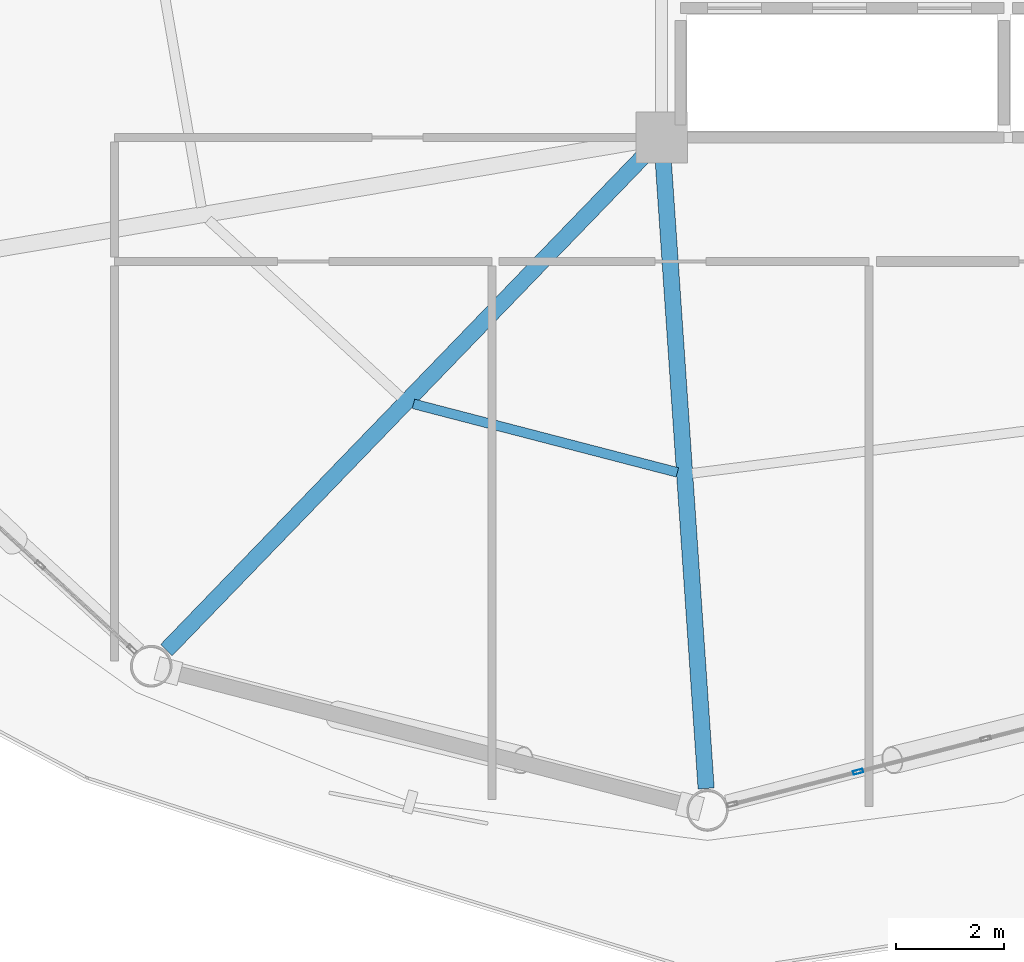
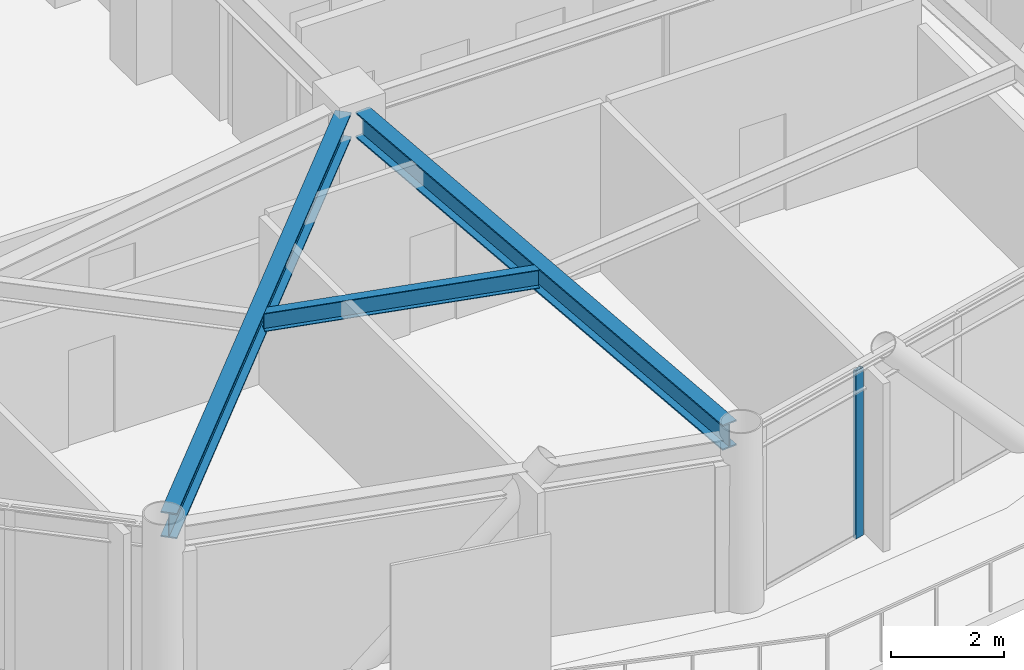
# One storey, part 6 of 23: 3 beams, 1 member, 1 element without a shape of its own.
"""IFC4 building model written with IfcOpenShell, lengths in metres."""

import ifcopenshell
import ifcopenshell.guid

model = None  # the IFC model being written
_history = None  # IfcOwnerHistory: only IFC2X3 demands one
_inside = {}  # id of a spatial element -> (the spatial element, [elements in it])
_under = {}  # id of a project, library or spatial element -> (it, [spatial elements below it])
_declared = {}  # id of a project -> (the project, [libraries it declares])
_typed = {}  # id of a type object -> (the type object, [elements of that type])
_made_of = {}  # id of a material, layer set ... -> (it, [elements and type objects made of it])


def new_model(schema):
    """Start an empty IFC model of exactly this schema.

    Asked for "IFC4X3", IfcOpenShell would pick the latest addendum, in which some entities
    have other attributes; the version numbers below select the first issue.
    IFC2X3 requires an IfcOwnerHistory on every rooted entity: one is made here for all.
    """
    global model, _history
    if schema == "IFC4X3":
        model = ifcopenshell.file(schema_version=(4, 3, 0, 0))
    else:
        model = ifcopenshell.file(schema=schema)
    _inside.clear()
    _under.clear()
    _declared.clear()
    _typed.clear()
    _made_of.clear()
    _history = None
    if model.schema == "IFC2X3":
        org = make("IfcOrganization", Name="unknown")
        user = make(
            "IfcPersonAndOrganization",
            ThePerson=make("IfcPerson", FamilyName="unknown"),
            TheOrganization=org,
        )
        app = make(
            "IfcApplication",
            ApplicationDeveloper=org,
            Version="unknown",
            ApplicationFullName="unknown",
            ApplicationIdentifier="unknown",
        )
        _history = make(
            "IfcOwnerHistory",
            OwningUser=user,
            OwningApplication=app,
            ChangeAction="ADDED",
            CreationDate=0,
        )
    return model


def make(cls, **values):
    """One entity of the class cls with the attributes given. An attribute that is None is left unset."""
    return model.create_entity(
        cls, **{name: value for name, value in values.items() if value is not None}
    )


def rooted(cls, **values):
    """An entity with a GlobalId (a new one), such as an element, a storey or a relation."""
    return make(cls, GlobalId=ifcopenshell.guid.new(), OwnerHistory=_history, **values)


def si_unit(unit_type, name, prefix=None):
    """IfcSIUnit, for example si_unit("LENGTHUNIT", "METRE", prefix="MILLI")."""
    return make("IfcSIUnit", UnitType=unit_type, Prefix=prefix, Name=name)


def assignment(units):
    """IfcUnitAssignment: the units of a project."""
    return None if units is None else make("IfcUnitAssignment", Units=units)


def point(xyz):
    """IfcCartesianPoint."""
    return None if xyz is None else make("IfcCartesianPoint", Coordinates=xyz)


def direction(xyz):
    """IfcDirection."""
    return None if xyz is None else make("IfcDirection", DirectionRatios=xyz)


def frame(location, z_axis=None, x_axis=None):
    """IfcAxis2Placement3D, a coordinate frame: its origin and axes. An axis left out is left unset."""
    return make(
        "IfcAxis2Placement3D",
        Location=point(location),
        Axis=direction(z_axis),
        RefDirection=direction(x_axis),
    )


def frame_2d(location, x_axis=None):
    """IfcAxis2Placement2D, a coordinate frame in the plane: its origin and x axis."""
    return make(
        "IfcAxis2Placement2D", Location=point(location), RefDirection=direction(x_axis)
    )


def origin():
    """The frame at (0, 0, 0) with its axes left unset."""
    return frame((0.0, 0.0, 0.0))


def origin_2d():
    """The frame at (0, 0) in the plane with its x axis left unset."""
    return frame_2d((0.0, 0.0))


def place(relative_to, where):
    """IfcLocalPlacement: puts the frame where relative to a parent placement (None: the world)."""
    return make(
        "IfcLocalPlacement", PlacementRelTo=relative_to, RelativePlacement=where
    )


def context(
    kind, dimensions, precision=None, world=None, true_north=None, identifier=None
):
    """IfcGeometricRepresentationContext, for example the 3D "Model" context."""
    return make(
        "IfcGeometricRepresentationContext",
        ContextIdentifier=identifier,
        ContextType=kind,
        CoordinateSpaceDimension=dimensions,
        Precision=precision,
        WorldCoordinateSystem=world,
        TrueNorth=true_north,
    )


def subcontext(parent, identifier, kind, view, scale=None):
    """IfcGeometricRepresentationSubContext, for example "Body" below "Model"."""
    return make(
        "IfcGeometricRepresentationSubContext",
        ContextIdentifier=identifier,
        ContextType=kind,
        ParentContext=parent,
        TargetScale=scale,
        TargetView=view,
    )


def project(units=None, contexts=None):
    """IfcProject with its units and contexts."""
    return rooted(
        "IfcProject",
        Name="project",
        RepresentationContexts=contexts,
        UnitsInContext=assignment(units),
    )


def spatial(cls, under=None, at=None, **own):
    """A site, building, storey or space (cls), placed at a placement, below another one or the project."""
    s = rooted(cls, ObjectPlacement=at, **own)
    if under is not None:
        _under.setdefault(under.id(), (under, []))[1].append(s)
    return s


def profile(cls, at=None, kind="AREA", **sizes):
    """A parametric profile (cls). Its sizes go by their IFC names, for example OverallWidth=200.0."""
    return make(cls, ProfileType=kind, Position=at, **sizes)


def hollow_rectangle(**sizes):
    """IfcRectangleHollowProfileDef."""
    return profile("IfcRectangleHollowProfileDef", **sizes)


def i_section(**sizes):
    """IfcIShapeProfileDef."""
    return profile("IfcIShapeProfileDef", **sizes)


def extrude(swept, where, along, depth):
    """IfcExtrudedAreaSolid: the profile swept, set in the frame where, extruded along a direction by depth."""
    return make(
        "IfcExtrudedAreaSolid",
        SweptArea=swept,
        Position=where,
        ExtrudedDirection=direction(along),
        Depth=depth,
    )


def shape(context_of_items, identifier, shape_type, items):
    """IfcShapeRepresentation: the items that make up one representation, for example the "Body"."""
    return make(
        "IfcShapeRepresentation",
        ContextOfItems=context_of_items,
        RepresentationIdentifier=identifier,
        RepresentationType=shape_type,
        Items=items,
    )


def material(Name=None, Category=None):
    """IfcMaterial."""
    return make("IfcMaterial", Name=Name, Category=Category)


def layer(
    of_material, thickness, ventilated=None, Name=None, Category=None, Priority=None
):
    """IfcMaterialLayer: one layer of a wall or slab, of a material (None: an air gap)."""
    return make(
        "IfcMaterialLayer",
        Material=of_material,
        LayerThickness=thickness,
        IsVentilated=ventilated,
        Name=Name,
        Category=Category,
        Priority=Priority,
    )


def layer_set(layers, Name=None):
    """IfcMaterialLayerSet."""
    return make("IfcMaterialLayerSet", MaterialLayers=layers, LayerSetName=Name)


def material_profile(
    of_material, cross_section, Name=None, Category=None, Priority=None
):
    """IfcMaterialProfile: a cross section and its material."""
    return make(
        "IfcMaterialProfile",
        Name=Name,
        Material=of_material,
        Profile=cross_section,
        Priority=Priority,
        Category=Category,
    )


def profile_set(profiles, Name=None, composite=None):
    """IfcMaterialProfileSet."""
    return make(
        "IfcMaterialProfileSet",
        Name=Name,
        MaterialProfiles=profiles,
        CompositeProfile=composite,
    )


def made_of(thing, what):
    """Note that an element or type object is made of a material, layer set ...; save() writes the relation."""
    if what is not None:
        _made_of.setdefault(what.id(), (what, []))[1].append(thing)
    return thing


def type_object(cls, material=None, **own):
    """A type object (cls), such as IfcWallType, which elements share."""
    return made_of(rooted(cls, **own), material)


def element(
    cls,
    number,
    at=None,
    inside=None,
    cuts=None,
    type_object=None,
    material=None,
    context=None,
    identifier="Body",
    shape_type=None,
    held_by="IfcProductDefinitionShape",
    body=None,
    shapes=None,
    **own,
):
    """One element of the class cls, such as IfcWall. Its Tag is "e" and its number.

    at: its placement. inside: the storey or other place that contains it. cuts: it is an
    opening in that element (IfcRelVoidsElement). A single representation is given by context,
    identifier, shape_type and body (its items); several are given by shapes. held_by: the class
    of the entity that holds the representations. save() writes the other relations.
    """
    e = rooted(cls, Tag="e%d" % number, ObjectPlacement=at, **own)
    if body is not None:
        shapes = [shape(context, identifier, shape_type, body)]
    if shapes is not None:
        e.Representation = make(held_by, Representations=shapes)
    if inside is not None:
        _inside.setdefault(inside.id(), (inside, []))[1].append(e)
    if cuts is not None:
        rooted(
            "IfcRelVoidsElement", RelatingBuildingElement=cuts, RelatedOpeningElement=e
        )
    if type_object is not None:
        _typed.setdefault(type_object.id(), (type_object, []))[1].append(e)
    return made_of(e, material)


def aggregate(whole, parts):
    """IfcRelAggregates: a whole, such as a stair, and the parts it consists of."""
    return rooted("IfcRelAggregates", RelatingObject=whole, RelatedObjects=parts)


def save(model, path):
    """Write the relations noted so far, then the file.

    IfcRelAggregates (storeys below a building ...), IfcRelContainedInSpatialStructure (elements
    in a storey), IfcRelDefinesByType, IfcRelAssociatesMaterial and IfcRelDeclares: one each for
    every whole, place, type object, material and project.
    """
    for whole, parts in _under.values():
        aggregate(whole, parts)
    for where, things in _inside.values():
        rooted(
            "IfcRelContainedInSpatialStructure",
            RelatedElements=things,
            RelatingStructure=where,
        )
    for kind, things in _typed.values():
        rooted("IfcRelDefinesByType", RelatedObjects=things, RelatingType=kind)
    for what, things in _made_of.values():
        rooted("IfcRelAssociatesMaterial", RelatedObjects=things, RelatingMaterial=what)
    for by, libraries in _declared.values():
        rooted("IfcRelDeclares", RelatingContext=by, RelatedDefinitions=libraries)
    model.write(path)


model = new_model("IFC4")

# Units and contexts
model_context = context("Model", 3, precision=1e-05, world=origin(), true_north=direction((0.0, 1.0)))
body_context = subcontext(model_context, "Body", "Model", "MODEL_VIEW")
ifc_project = project(units=[si_unit("LENGTHUNIT", "METRE"), si_unit("AREAUNIT", "SQUARE_METRE"), si_unit("VOLUMEUNIT", "CUBIC_METRE"), si_unit("PLANEANGLEUNIT", "RADIAN"), si_unit("MASSUNIT", "GRAM", prefix="KILO")], contexts=[model_context])

# Site, building, storey
site_placement = place(None, origin())
site = spatial("IfcSite", under=ifc_project, at=site_placement, CompositionType="ELEMENT")
building_placement = place(site_placement, origin())
building = spatial("IfcBuilding", under=site, at=building_placement, Name="Varnakorn Sky Granary", CompositionType="ELEMENT")
storey_placement = place(building_placement, frame((0.0, 0.0, 150.0)))
storey = spatial("IfcBuildingStorey", under=building, at=storey_placement, Name="L37", CompositionType="ELEMENT", Elevation=150.0)

# Beams
ifc_material_1 = material(Name="Steel S355JR", Category="steel")
ifc_material_profile_1 = material_profile(ifc_material_1, i_section(OverallWidth=0.300048828125, OverallDepth=0.550048828125, WebThickness=0.014892578125, FlangeThickness=0.029052734375, at=origin_2d()), Name="HE 550 B")
ifc_profile_set_1 = profile_set([ifc_material_profile_1], Name="Steel S355JR")
beam_type_1 = type_object("IfcBeamType", Name="BM-RAD-Z3", PredefinedType="BEAM", material=ifc_profile_set_1)
beam_1_placement = place(storey_placement, frame((-2.641845703125, -6.902099609375, 3.364990234375), z_axis=(-0.694815364731, -0.719188159618, 0.0), x_axis=(0.719188159618, -0.694815364731, 0.0)))
element("IfcBeam", 1, at=beam_1_placement, inside=storey, type_object=beam_type_1, Name="Radial Floor Girder RG09 L37", PredefinedType="BEAM", context=body_context, shape_type="SweptSolid", body=[
    extrude(i_section(OverallWidth=0.300048828125, OverallDepth=0.550048828125, WebThickness=0.014892578125, FlangeThickness=0.029052734375, at=origin_2d()), origin(), (0.0, 0.0, 1.0), 12.8017578125),
])
beam_2_placement = place(storey_placement, frame((-2.3212890625, -7.01904296875, 3.364990234375), z_axis=(0.068166654508, -0.997673948348, 0.0), x_axis=(0.997673948348, 0.068166654508, 0.0)))
element("IfcBeam", 2, at=beam_2_placement, inside=storey, type_object=beam_type_1, Name="Radial Floor Girder RG10 L37", PredefinedType="BEAM", context=body_context, shape_type="SweptSolid", body=[
    extrude(i_section(OverallWidth=0.300048828125, OverallDepth=0.550048828125, WebThickness=0.014892578125, FlangeThickness=0.029052734375, at=origin_2d()), origin(), (0.0, 0.0, 1.0), 11.682861328125),
])
ifc_material_profile_2 = material_profile(ifc_material_1, i_section(OverallWidth=0.179931640625, OverallDepth=0.39990234375, WebThickness=0.008544921875, FlangeThickness=0.013427734375, at=origin_2d()), Name="IPE 400")
ifc_profile_set_2 = profile_set([ifc_material_profile_2], Name="Steel S355JR")
beam_type_2 = type_object("IfcBeamType", Name="BM-SEC-Z3", PredefinedType="BEAM", material=ifc_profile_set_2)
beam_3_placement = place(storey_placement, frame((-6.95361328125, -11.540771484375, 3.43994140625), z_axis=(0.967904751472, -0.251317313524, 0.0), x_axis=(0.251317313524, 0.967904751472, 0.0)))
element("IfcBeam", 3, at=beam_3_placement, inside=storey, type_object=beam_type_2, Name="Secondary Floor Chord Beam MSB09 L37", PredefinedType="BEAM", context=body_context, shape_type="SweptSolid", body=[
    extrude(i_section(OverallWidth=0.179931640625, OverallDepth=0.39990234375, WebThickness=0.008544921875, FlangeThickness=0.013427734375, at=origin_2d()), origin(), (0.0, 0.0, 1.0), 5.057373046875),
])

# Curtain wall, member
ifc_material_2 = material(Name="Anodised Bronze Aluminium Alloy 6063-T6", Category="aluminium")
ifc_layer = layer(ifc_material_2, 0.179931640625, Name="Anodised Bronze Aluminium Alloy 6063-T6")
ifc_layer_set = layer_set([ifc_layer], Name="Anodised Bronze Aluminium Alloy 6063-T6")
curtain_wall_type = type_object("IfcCurtainWallType", Name="CW-FRM-2", PredefinedType="USERDEFINED", material=ifc_layer_set)
curtain_wall_placement = place(storey_placement, origin())
curtain_wall = element("IfcCurtainWall", 4, at=curtain_wall_placement, inside=storey, type_object=curtain_wall_type, Name="Unitised Curtain Wall CW4 CW-L37-B10", ObjectType="CURTAIN WALL", PredefinedType="USERDEFINED")
ifc_material_profile_3 = material_profile(ifc_material_2, hollow_rectangle(XDim=0.070068359375, YDim=0.18505859375, WallThickness=0.00390625, at=origin_2d()), Name="ALU MULL 70x185")
ifc_profile_set_3 = profile_set([ifc_material_profile_3], Name="Anodised Bronze Aluminium Alloy 6063-T6")
member_type = type_object("IfcMemberType", Name="CW-FRM-2-MULL", PredefinedType="MULLION", material=ifc_profile_set_3)
member_placement = place(storey_placement, frame((1.29443359375, -18.3642578125, 0.0), z_axis=(0.0, 0.0, 1.0), x_axis=(0.250747882896, -0.968052425865, 0.0)))
member = element("IfcMember", 5, at=member_placement, type_object=member_type, Name="CW4 mullion 4", PredefinedType="MULLION", context=body_context, shape_type="SweptSolid", body=[
    extrude(hollow_rectangle(XDim=0.070068359375, YDim=0.18505859375, WallThickness=0.00390625, at=origin_2d()), origin(), (0.0, 0.0, 1.0), 3.639892578125),
])
aggregate(curtain_wall, [member])

save(model, "model.ifc")
